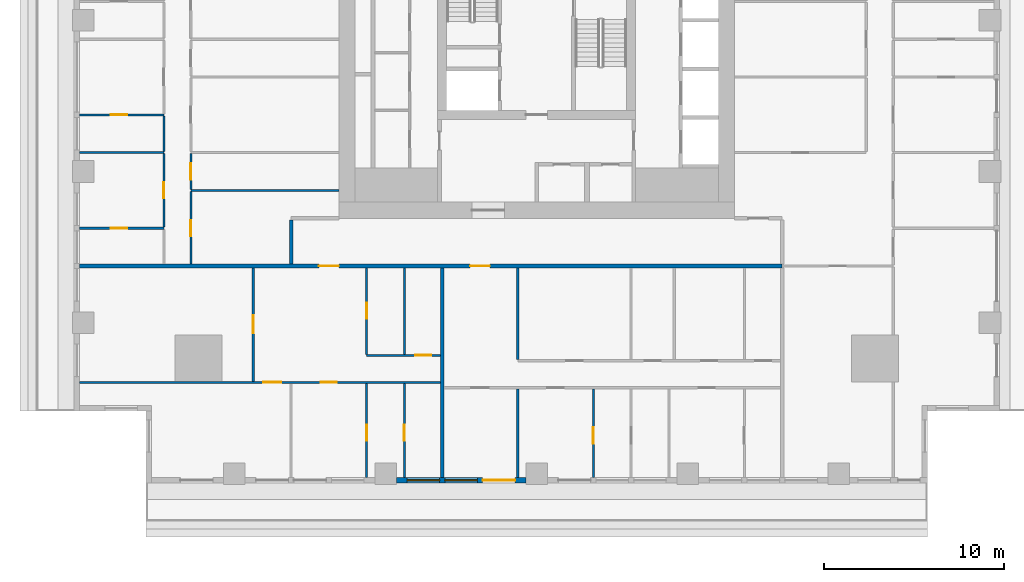
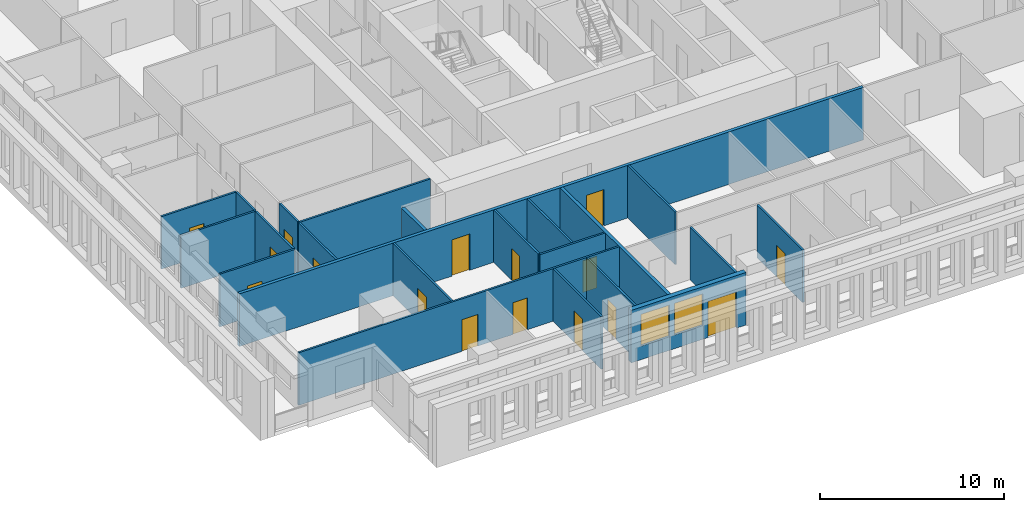
# One storey, part 2 of 16: 22 walls, 16 doors, 2 windows, 18 openings.
"""IFC4 building model written with IfcOpenShell, lengths in metres."""

from ifc_helpers import new_model, si_unit, direction, frame, frame_2d, origin, place, context, subcontext, project, spatial, rectangle, extrude, material, layer, layer_set, type_object, element, fill, save


model = new_model("IFC4")

# Units and contexts
model_context = context("Model", 3, precision=1e-05, world=origin(), true_north=direction((0.0, 1.0)))
body_context = subcontext(model_context, "Body", "Model", "MODEL_VIEW")
ifc_project = project(units=[si_unit("LENGTHUNIT", "METRE"), si_unit("AREAUNIT", "SQUARE_METRE"), si_unit("VOLUMEUNIT", "CUBIC_METRE"), si_unit("PLANEANGLEUNIT", "RADIAN"), si_unit("MASSUNIT", "GRAM", prefix="KILO")], contexts=[model_context])

# Site, building, storey
site_placement = place(None, origin())
site = spatial("IfcSite", under=ifc_project, at=site_placement, CompositionType="ELEMENT")
building_placement = place(site_placement, origin())
building = spatial("IfcBuilding", under=site, at=building_placement, Name="Khepri Terraces", CompositionType="ELEMENT")
storey_placement = place(building_placement, frame((0.0, 0.0, 168.89990234375)))
storey = spatial("IfcBuildingStorey", under=building, at=storey_placement, Name="L40", CompositionType="ELEMENT", Elevation=168.89990234375)

# Wall
ifc_material_1 = material(Name="Fire-rated gypsum plasterboard partition, mineral wool")
ifc_layer_1 = layer(ifc_material_1, 0.199951171875, Name="Fire-rated gypsum plasterboard partition, mineral wool")
ifc_layer_set_1 = layer_set([ifc_layer_1], Name="Fire-rated gypsum plasterboard partition, mineral wool")
wall_type_1 = type_object("IfcWallType", Name="WL-CORR-200", PredefinedType="PARTITIONING", material=ifc_layer_set_1)
wall_1_placement = place(storey_placement, frame((-5.25, -25.419921875, 0.0), z_axis=(0.0, 0.0, 1.0), x_axis=(0.0, 1.0, 0.0)))
element("IfcWall", 1, at=wall_1_placement, inside=storey, type_object=wall_type_1, Name="Partition P-004 L40", PredefinedType="PARTITIONING", context=body_context, shape_type="SweptSolid", body=[
    extrude(rectangle(XDim=11.669921875, YDim=0.199951171875, at=frame_2d((5.8349609375, 0.0))), origin(), (0.0, 0.0, 1.0), 3.47998046875),
])

# Wall, openings, doors
wall_2_placement = place(storey_placement, frame((-25.419921875, -13.64990234375, 0.0), z_axis=(0.0, 0.0, 1.0), x_axis=(1.0, 0.0, 0.0)))
wall_2 = element("IfcWall", 2, at=wall_2_placement, inside=storey, type_object=wall_type_1, Name="Partition P-024 L40", PredefinedType="PARTITIONING", context=body_context, shape_type="SweptSolid", body=[
    extrude(rectangle(XDim=39.06982421875, YDim=0.199951171875, at=frame_2d((19.534912109375, 0.0))), origin(), (0.0, 0.0, 1.0), 3.47998046875),
])
opening_1_placement = place(wall_2_placement, frame((13.320068359375, 0.0, 0.0)))
opening_1 = element("IfcOpeningElement", 3, at=opening_1_placement, cuts=wall_2, Name="Opening D1", PredefinedType="OPENING", context=body_context, shape_type="SweptSolid", body=[
    extrude(rectangle(XDim=1.10009765625, YDim=2.39990234375, at=frame_2d((0.550048828125, 1.199951171875))), frame((0.0, 0.10986328125, 0.0), z_axis=(0.0, -1.0, 0.0), x_axis=(1.0, 0.0, 0.0)), (0.0, 0.0, 1.0), 0.219970703125),
])
opening_2_placement = place(wall_2_placement, frame((21.719970703125, 0.0, 0.0)))
opening_2 = element("IfcOpeningElement", 4, at=opening_2_placement, cuts=wall_2, Name="Opening D1", PredefinedType="OPENING", context=body_context, shape_type="SweptSolid", body=[
    extrude(rectangle(XDim=1.10009765625, YDim=2.39990234375, at=frame_2d((0.550048828125, 1.199951171875))), frame((0.0, 0.10986328125, 0.0), z_axis=(0.0, -1.0, 0.0), x_axis=(1.0, 0.0, 0.0)), (0.0, 0.0, 1.0), 0.219970703125),
])
ifc_material_2 = material(Name="Solid-core timber door leaf, flat entrance door", Category="wood")
door_type_1 = type_object("IfcDoorType", Name="DR-ENT-1100", OperationType="NOTDEFINED", PredefinedType="DOOR", material=ifc_material_2)
door_1_placement = place(opening_1_placement, frame((1.10009765625, 0.0, 0.0), z_axis=(0.0, 0.0, 1.0), x_axis=(-1.0, 0.0, 0.0)))
door_1 = element("IfcDoor", 5, at=door_1_placement, inside=storey, type_object=door_type_1, Name="Flat A1 entrance door", OperationType="SINGLE_SWING_RIGHT", OverallHeight=2.39990234375, OverallWidth=1.10009765625, PredefinedType="DOOR", context=body_context, shape_type="SweptSolid", body=[
    extrude(rectangle(XDim=1.10009765625, YDim=2.39990234375, at=frame_2d((0.550048828125, 1.199951171875))), frame((0.0, 0.02490234375, 0.0), z_axis=(0.0, -1.0, 0.0), x_axis=(1.0, 0.0, 0.0)), (0.0, 0.0, 1.0), 0.050048828125),
])
fill(opening_1, door_1)
door_2_placement = place(opening_2_placement, frame((1.10009765625, 0.0, 0.0), z_axis=(0.0, 0.0, 1.0), x_axis=(-1.0, 0.0, 0.0)))
door_2 = element("IfcDoor", 6, at=door_2_placement, inside=storey, type_object=door_type_1, Name="Flat A2 entrance door", OperationType="SINGLE_SWING_LEFT", OverallHeight=2.39990234375, OverallWidth=1.10009765625, PredefinedType="DOOR", context=body_context, shape_type="SweptSolid", body=[
    extrude(rectangle(XDim=1.10009765625, YDim=2.39990234375, at=frame_2d((0.550048828125, 1.199951171875))), frame((0.0, 0.02490234375, 0.0), z_axis=(0.0, -1.0, 0.0), x_axis=(1.0, 0.0, 0.0)), (0.0, 0.0, 1.0), 0.050048828125),
])
fill(opening_2, door_2)

# Wall
wall_3_placement = place(storey_placement, frame((-13.64990234375, -13.550048828125, 0.0), z_axis=(0.0, 0.0, 1.0), x_axis=(0.0, 1.0, 0.0)))
element("IfcWall", 7, at=wall_3_placement, inside=storey, type_object=wall_type_1, Name="Partition P-029 L40", PredefinedType="PARTITIONING", context=body_context, shape_type="SweptSolid", body=[
    extrude(rectangle(XDim=2.449951171875, YDim=0.199951171875, at=frame_2d((1.22509765625, 0.0))), origin(), (0.0, 0.0, 1.0), 3.47998046875),
])

# Wall, openings, door, windows
ifc_material_3 = material(Name="Precast concrete C50/60 warm stone", Category="masonry")
ifc_layer_2 = layer(ifc_material_3, 0.300048828125, Name="Precast concrete C50/60 warm stone", Category="masonry")
ifc_layer_set_2 = layer_set([ifc_layer_2], Name="Precast concrete C50/60 warm stone")
wall_type_2 = type_object("IfcWallType", Name="WL-EXT-PRECAST-300", PredefinedType="STANDARD", material=ifc_layer_set_2)
wall_4_placement = place(storey_placement, frame((-7.800048828125, -25.570068359375, 0.0), z_axis=(0.0, 0.0, 1.0), x_axis=(1.0, 0.0, 0.0)))
wall_4 = element("IfcWall", 8, at=wall_4_placement, inside=storey, type_object=wall_type_2, Name="External wall L40 S", PredefinedType="STANDARD", context=body_context, shape_type="SweptSolid", body=[
    extrude(rectangle(XDim=7.199951171875, YDim=0.300048828125, at=frame_2d((3.60009765625, 0.0))), origin(), (0.0, 0.0, 1.0), 3.47998046875),
])
opening_3_placement = place(wall_4_placement, frame((0.60009765625, 0.0, 0.89990234375)))
opening_3 = element("IfcOpeningElement", 9, at=opening_3_placement, cuts=wall_4, Name="Opening W1", PredefinedType="OPENING", context=body_context, shape_type="SweptSolid", body=[
    extrude(rectangle(XDim=1.800048828125, YDim=2.10009765625, at=frame_2d((0.89990234375, 1.050048828125))), frame((0.0, 0.16015625, 0.0), z_axis=(0.0, -1.0, 0.0), x_axis=(1.0, 0.0, 0.0)), (0.0, 0.0, 1.0), 0.320068359375),
])
opening_4_placement = place(wall_4_placement, frame((2.699951171875, 0.0, 0.89990234375)))
opening_4 = element("IfcOpeningElement", 10, at=opening_4_placement, cuts=wall_4, Name="Opening W1", PredefinedType="OPENING", context=body_context, shape_type="SweptSolid", body=[
    extrude(rectangle(XDim=1.800048828125, YDim=2.10009765625, at=frame_2d((0.89990234375, 1.050048828125))), frame((0.0, 0.16015625, 0.0), z_axis=(0.0, -1.0, 0.0), x_axis=(1.0, 0.0, 0.0)), (0.0, 0.0, 1.0), 0.320068359375),
])
opening_5_placement = place(wall_4_placement, frame((4.800048828125, 0.0, 0.0)))
opening_5 = element("IfcOpeningElement", 11, at=opening_5_placement, cuts=wall_4, Name="Opening ED-L40-13", PredefinedType="OPENING", context=body_context, shape_type="SweptSolid", body=[
    extrude(rectangle(XDim=1.800048828125, YDim=2.39990234375, at=frame_2d((0.89990234375, 1.199951171875))), frame((0.0, 0.16015625, 0.0), z_axis=(0.0, -1.0, 0.0), x_axis=(1.0, 0.0, 0.0)), (0.0, 0.0, 1.0), 0.320068359375),
])
ifc_material_4 = material(Name="Anodised aluminium bronze glazed door", Category="aluminium")
door_type_2 = type_object("IfcDoorType", Name="DR-BAL-SLIDE-1800x2400", OperationType="NOTDEFINED", PredefinedType="DOOR", material=ifc_material_4)
door_3_placement = place(opening_5_placement, origin())
door_3 = element("IfcDoor", 12, at=door_3_placement, inside=storey, type_object=door_type_2, Name="Balcony door L40 S", OperationType="SLIDING_TO_RIGHT", OverallHeight=2.39990234375, OverallWidth=1.800048828125, PredefinedType="DOOR", context=body_context, shape_type="SweptSolid", body=[
    extrude(rectangle(XDim=1.800048828125, YDim=2.39990234375, at=frame_2d((0.89990234375, 1.199951171875))), frame((0.0, 0.02490234375, 0.0), z_axis=(0.0, -1.0, 0.0), x_axis=(1.0, 0.0, 0.0)), (0.0, 0.0, 1.0), 0.050048828125),
])
fill(opening_5, door_3)
ifc_material_5 = material(Name="Clear glass", Category="glass")
window_type = type_object("IfcWindowType", Name="WIN-RES-1800x2100", PartitioningType="SINGLE_PANEL", PredefinedType="WINDOW", material=ifc_material_5)
window_1_placement = place(opening_3_placement, origin())
window_1 = element("IfcWindow", 13, at=window_1_placement, inside=storey, type_object=window_type, Name="Window L40 S", OverallHeight=2.10009765625, OverallWidth=1.800048828125, PartitioningType="SINGLE_PANEL", PredefinedType="WINDOW", context=body_context, shape_type="SweptSolid", body=[
    extrude(rectangle(XDim=1.800048828125, YDim=2.10009765625, at=frame_2d((0.89990234375, 1.050048828125))), frame((0.0, 0.030029296875, 0.0), z_axis=(0.0, -1.0, 0.0), x_axis=(1.0, 0.0, 0.0)), (0.0, 0.0, 1.0), 0.06005859375),
])
fill(opening_3, window_1)
window_2_placement = place(opening_4_placement, origin())
window_2 = element("IfcWindow", 14, at=window_2_placement, inside=storey, type_object=window_type, Name="Window L40 S", OverallHeight=2.10009765625, OverallWidth=1.800048828125, PartitioningType="SINGLE_PANEL", PredefinedType="WINDOW", context=body_context, shape_type="SweptSolid", body=[
    extrude(rectangle(XDim=1.800048828125, YDim=2.10009765625, at=frame_2d((0.89990234375, 1.050048828125))), frame((0.0, 0.030029296875, 0.0), z_axis=(0.0, -1.0, 0.0), x_axis=(1.0, 0.0, 0.0)), (0.0, 0.0, 1.0), 0.06005859375),
])
fill(opening_4, window_2)

# Wall, opening, door
ifc_material_6 = material(Name="Gypsum plasterboard partition")
ifc_layer_3 = layer(ifc_material_6, 0.1201171875, Name="Gypsum plasterboard partition")
ifc_layer_set_3 = layer_set([ifc_layer_3], Name="Gypsum plasterboard partition")
wall_type_3 = type_object("IfcWallType", Name="WL-PART-120", PredefinedType="PARTITIONING", material=ifc_layer_set_3)
wall_5_placement = place(storey_placement, frame((-9.449951171875, -25.419921875, 0.0), z_axis=(0.0, 0.0, 1.0), x_axis=(0.0, 1.0, 0.0)))
wall_5 = element("IfcWall", 15, at=wall_5_placement, inside=storey, type_object=wall_type_3, Name="Partition P-002 L40", PredefinedType="PARTITIONING", context=body_context, shape_type="SweptSolid", body=[
    extrude(rectangle(XDim=5.239990234375, YDim=0.1201171875, at=frame_2d((2.6201171875, 0.0))), origin(), (0.0, 0.0, 1.0), 3.47998046875),
])
opening_6_placement = place(wall_5_placement, frame((2.050048828125, 0.0, 0.0)))
opening_6 = element("IfcOpeningElement", 16, at=opening_6_placement, cuts=wall_5, Name="Opening D3", PredefinedType="OPENING", context=body_context, shape_type="SweptSolid", body=[
    extrude(rectangle(XDim=0.89990234375, YDim=2.10009765625, at=frame_2d((0.449951171875, 1.050048828125))), frame((0.0, 0.070068359375, 0.0), z_axis=(0.0, -1.0, 0.0), x_axis=(1.0, 0.0, 0.0)), (0.0, 0.0, 1.0), 0.14013671875),
])
ifc_material_7 = material(Name="Timber door leaf", Category="wood")
door_type_3 = type_object("IfcDoorType", Name="DR-INT-900", OperationType="NOTDEFINED", PredefinedType="DOOR", material=ifc_material_7)
door_4_placement = place(opening_6_placement, frame((0.89990234375, 0.0, 0.0), z_axis=(0.0, 0.0, 1.0), x_axis=(-1.0, 0.0, 0.0)))
door_4 = element("IfcDoor", 17, at=door_4_placement, inside=storey, type_object=door_type_3, Name="Door Dressing Room", OperationType="SINGLE_SWING_RIGHT", OverallHeight=2.10009765625, OverallWidth=0.89990234375, PredefinedType="DOOR", context=body_context, shape_type="SweptSolid", body=[
    extrude(rectangle(XDim=0.89990234375, YDim=2.10009765625, at=frame_2d((0.449951171875, 1.050048828125))), frame((0.0, 0.02490234375, 0.0), z_axis=(0.0, -1.0, 0.0), x_axis=(1.0, 0.0, 0.0)), (0.0, 0.0, 1.0), 0.050048828125),
])
fill(opening_6, door_4)

wall_6_placement = place(storey_placement, frame((-7.35009765625, -25.419921875, 0.0), z_axis=(0.0, 0.0, 1.0), x_axis=(0.0, 1.0, 0.0)))
wall_6 = element("IfcWall", 18, at=wall_6_placement, inside=storey, type_object=wall_type_3, Name="Partition P-003 L40", PredefinedType="PARTITIONING", context=body_context, shape_type="SweptSolid", body=[
    extrude(rectangle(XDim=5.239990234375, YDim=0.1201171875, at=frame_2d((2.6201171875, 0.0))), origin(), (0.0, 0.0, 1.0), 3.47998046875),
])
opening_7_placement = place(wall_6_placement, frame((2.050048828125, 0.0, 0.0)))
opening_7 = element("IfcOpeningElement", 19, at=opening_7_placement, cuts=wall_6, Name="Opening D4", PredefinedType="OPENING", context=body_context, shape_type="SweptSolid", body=[
    extrude(rectangle(XDim=0.89990234375, YDim=2.10009765625, at=frame_2d((0.449951171875, 1.050048828125))), frame((0.0, 0.070068359375, 0.0), z_axis=(0.0, -1.0, 0.0), x_axis=(1.0, 0.0, 0.0)), (0.0, 0.0, 1.0), 0.14013671875),
])
ifc_material_8 = material(Name="Timber door leaf, moisture resistant", Category="wood")
door_type_4 = type_object("IfcDoorType", Name="DR-WET-900", OperationType="NOTDEFINED", PredefinedType="DOOR", material=ifc_material_8)
door_5_placement = place(opening_7_placement, frame((0.89990234375, 0.0, 0.0), z_axis=(0.0, 0.0, 1.0), x_axis=(-1.0, 0.0, 0.0)))
door_5 = element("IfcDoor", 20, at=door_5_placement, inside=storey, type_object=door_type_4, Name="Door Bathroom", OperationType="SINGLE_SWING_RIGHT", OverallHeight=2.10009765625, OverallWidth=0.89990234375, PredefinedType="DOOR", context=body_context, shape_type="SweptSolid", body=[
    extrude(rectangle(XDim=0.89990234375, YDim=2.10009765625, at=frame_2d((0.449951171875, 1.050048828125))), frame((0.0, 0.02490234375, 0.0), z_axis=(0.0, -1.0, 0.0), x_axis=(1.0, 0.0, 0.0)), (0.0, 0.0, 1.0), 0.050048828125),
])
fill(opening_7, door_5)

# Wall
wall_7_placement = place(storey_placement, frame((-1.050048828125, -25.419921875, 0.0), z_axis=(0.0, 0.0, 1.0), x_axis=(0.0, 1.0, 0.0)))
element("IfcWall", 21, at=wall_7_placement, inside=storey, type_object=wall_type_3, Name="Partition P-005 L40", PredefinedType="PARTITIONING", context=body_context, shape_type="SweptSolid", body=[
    extrude(rectangle(XDim=4.93994140625, YDim=0.1201171875, at=frame_2d((2.469970703125, 0.0))), origin(), (0.0, 0.0, 1.0), 3.47998046875),
])

# Wall, opening, door
wall_8_placement = place(storey_placement, frame((3.14990234375, -25.419921875, 0.0), z_axis=(0.0, 0.0, 1.0), x_axis=(0.0, 1.0, 0.0)))
wall_8 = element("IfcWall", 22, at=wall_8_placement, inside=storey, type_object=wall_type_3, Name="Partition P-006 L40", PredefinedType="PARTITIONING", context=body_context, shape_type="SweptSolid", body=[
    extrude(rectangle(XDim=4.93994140625, YDim=0.1201171875, at=frame_2d((2.469970703125, 0.0))), origin(), (0.0, 0.0, 1.0), 3.47998046875),
])
opening_8_placement = place(wall_8_placement, frame((1.89990234375, 0.0, 0.0)))
opening_8 = element("IfcOpeningElement", 23, at=opening_8_placement, cuts=wall_8, Name="Opening D3", PredefinedType="OPENING", context=body_context, shape_type="SweptSolid", body=[
    extrude(rectangle(XDim=0.89990234375, YDim=2.10009765625, at=frame_2d((0.449951171875, 1.050048828125))), frame((0.0, 0.070068359375, 0.0), z_axis=(0.0, -1.0, 0.0), x_axis=(1.0, 0.0, 0.0)), (0.0, 0.0, 1.0), 0.14013671875),
])
door_6_placement = place(opening_8_placement, frame((0.89990234375, 0.0, 0.0), z_axis=(0.0, 0.0, 1.0), x_axis=(-1.0, 0.0, 0.0)))
door_6 = element("IfcDoor", 24, at=door_6_placement, inside=storey, type_object=door_type_3, Name="Door Dressing Room", OperationType="SINGLE_SWING_RIGHT", OverallHeight=2.10009765625, OverallWidth=0.89990234375, PredefinedType="DOOR", context=body_context, shape_type="SweptSolid", body=[
    extrude(rectangle(XDim=0.89990234375, YDim=2.10009765625, at=frame_2d((0.449951171875, 1.050048828125))), frame((0.0, 0.02490234375, 0.0), z_axis=(0.0, -1.0, 0.0), x_axis=(1.0, 0.0, 0.0)), (0.0, 0.0, 1.0), 0.050048828125),
])
fill(opening_8, door_6)

# Wall, openings, doors
wall_9_placement = place(storey_placement, frame((-25.419921875, -20.1201171875, 0.0), z_axis=(0.0, 0.0, 1.0), x_axis=(1.0, 0.0, 0.0)))
wall_9 = element("IfcWall", 25, at=wall_9_placement, inside=storey, type_object=wall_type_3, Name="Partition P-013 L40", PredefinedType="PARTITIONING", context=body_context, shape_type="SweptSolid", body=[
    extrude(rectangle(XDim=20.06982421875, YDim=0.1201171875, at=frame_2d((10.034912109375, 0.0))), origin(), (0.0, 0.0, 1.0), 3.47998046875),
])
opening_9_placement = place(wall_9_placement, frame((10.219970703125, 0.0, 0.0)))
opening_9 = element("IfcOpeningElement", 26, at=opening_9_placement, cuts=wall_9, Name="Opening D2", PredefinedType="OPENING", context=body_context, shape_type="SweptSolid", body=[
    extrude(rectangle(XDim=1.0, YDim=2.10009765625, at=frame_2d((0.5, 1.050048828125))), frame((0.0, 0.070068359375, 0.0), z_axis=(0.0, -1.0, 0.0), x_axis=(1.0, 0.0, 0.0)), (0.0, 0.0, 1.0), 0.14013671875),
])
opening_10_placement = place(wall_9_placement, frame((13.419921875, 0.0, 0.0)))
opening_10 = element("IfcOpeningElement", 27, at=opening_10_placement, cuts=wall_9, Name="Opening D3", PredefinedType="OPENING", context=body_context, shape_type="SweptSolid", body=[
    extrude(rectangle(XDim=0.89990234375, YDim=2.10009765625, at=frame_2d((0.449951171875, 1.050048828125))), frame((0.0, 0.070068359375, 0.0), z_axis=(0.0, -1.0, 0.0), x_axis=(1.0, 0.0, 0.0)), (0.0, 0.0, 1.0), 0.14013671875),
])
ifc_material_9 = material(Name="Timber door leaf, living room door", Category="wood")
door_type_5 = type_object("IfcDoorType", Name="DR-INT-1000", OperationType="NOTDEFINED", PredefinedType="DOOR", material=ifc_material_9)
door_7_placement = place(opening_9_placement, frame((1.0, 0.0, 0.0), z_axis=(0.0, 0.0, 1.0), x_axis=(-1.0, 0.0, 0.0)))
door_7 = element("IfcDoor", 28, at=door_7_placement, inside=storey, type_object=door_type_5, Name="Door Living Room", OperationType="SINGLE_SWING_LEFT", OverallHeight=2.10009765625, OverallWidth=1.0, PredefinedType="DOOR", context=body_context, shape_type="SweptSolid", body=[
    extrude(rectangle(XDim=1.0, YDim=2.10009765625, at=frame_2d((0.5, 1.050048828125))), frame((0.0, 0.02490234375, 0.0), z_axis=(0.0, -1.0, 0.0), x_axis=(1.0, 0.0, 0.0)), (0.0, 0.0, 1.0), 0.050048828125),
])
fill(opening_9, door_7)
door_8_placement = place(opening_10_placement, frame((0.89990234375, 0.0, 0.0), z_axis=(0.0, 0.0, 1.0), x_axis=(-1.0, 0.0, 0.0)))
door_8 = element("IfcDoor", 29, at=door_8_placement, inside=storey, type_object=door_type_3, Name="Door Master Bedroom", OperationType="SINGLE_SWING_LEFT", OverallHeight=2.10009765625, OverallWidth=0.89990234375, PredefinedType="DOOR", context=body_context, shape_type="SweptSolid", body=[
    extrude(rectangle(XDim=0.89990234375, YDim=2.10009765625, at=frame_2d((0.449951171875, 1.050048828125))), frame((0.0, 0.02490234375, 0.0), z_axis=(0.0, -1.0, 0.0), x_axis=(1.0, 0.0, 0.0)), (0.0, 0.0, 1.0), 0.050048828125),
])
fill(opening_10, door_8)

# Wall, opening, door
wall_10_placement = place(storey_placement, frame((-15.75, -20.06005859375, 0.0), z_axis=(0.0, 0.0, 1.0), x_axis=(0.0, 1.0, 0.0)))
wall_10 = element("IfcWall", 30, at=wall_10_placement, inside=storey, type_object=wall_type_3, Name="Partition P-014 L40", PredefinedType="PARTITIONING", context=body_context, shape_type="SweptSolid", body=[
    extrude(rectangle(XDim=6.31005859375, YDim=0.1201171875, at=frame_2d((3.155029296875, 0.0))), origin(), (0.0, 0.0, 1.0), 3.47998046875),
])
opening_11_placement = place(wall_10_placement, frame((2.675048828125, 0.0, 0.0)))
opening_11 = element("IfcOpeningElement", 31, at=opening_11_placement, cuts=wall_10, Name="Opening D2", PredefinedType="OPENING", context=body_context, shape_type="SweptSolid", body=[
    extrude(rectangle(XDim=1.0, YDim=2.10009765625, at=frame_2d((0.5, 1.050048828125))), frame((0.0, 0.070068359375, 0.0), z_axis=(0.0, -1.0, 0.0), x_axis=(1.0, 0.0, 0.0)), (0.0, 0.0, 1.0), 0.14013671875),
])
door_9_placement = place(opening_11_placement, origin())
door_9 = element("IfcDoor", 32, at=door_9_placement, inside=storey, type_object=door_type_5, Name="Door Family Room", OperationType="SINGLE_SWING_RIGHT", OverallHeight=2.10009765625, OverallWidth=1.0, PredefinedType="DOOR", context=body_context, shape_type="SweptSolid", body=[
    extrude(rectangle(XDim=1.0, YDim=2.10009765625, at=frame_2d((0.5, 1.050048828125))), frame((0.0, 0.02490234375, 0.0), z_axis=(0.0, -1.0, 0.0), x_axis=(1.0, 0.0, 0.0)), (0.0, 0.0, 1.0), 0.050048828125),
])
fill(opening_11, door_9)

# Wall
wall_11_placement = place(storey_placement, frame((-1.050048828125, -18.860107421875, 0.0), z_axis=(0.0, 0.0, 1.0), x_axis=(0.0, 1.0, 0.0)))
element("IfcWall", 33, at=wall_11_placement, inside=storey, type_object=wall_type_3, Name="Partition P-016 L40", PredefinedType="PARTITIONING", context=body_context, shape_type="SweptSolid", body=[
    extrude(rectangle(XDim=5.110107421875, YDim=0.1201171875, at=frame_2d((2.55517578125, 0.0))), origin(), (0.0, 0.0, 1.0), 3.47998046875),
])

# Wall, opening, door
wall_12_placement = place(storey_placement, frame((-9.449951171875, -18.6201171875, 0.0), z_axis=(0.0, 0.0, 1.0), x_axis=(1.0, 0.0, 0.0)))
wall_12 = element("IfcWall", 34, at=wall_12_placement, inside=storey, type_object=wall_type_3, Name="Partition P-020 L40", PredefinedType="PARTITIONING", context=body_context, shape_type="SweptSolid", body=[
    extrude(rectangle(XDim=4.099853515625, YDim=0.1201171875, at=frame_2d((2.0498046875, 0.0))), origin(), (0.0, 0.0, 1.0), 3.47998046875),
])
opening_12_placement = place(wall_12_placement, frame((2.699951171875, 0.0, 0.0)))
opening_12 = element("IfcOpeningElement", 35, at=opening_12_placement, cuts=wall_12, Name="Opening D3", PredefinedType="OPENING", context=body_context, shape_type="SweptSolid", body=[
    extrude(rectangle(XDim=0.89990234375, YDim=2.10009765625, at=frame_2d((0.449951171875, 1.050048828125))), frame((0.0, 0.070068359375, 0.0), z_axis=(0.0, -1.0, 0.0), x_axis=(1.0, 0.0, 0.0)), (0.0, 0.0, 1.0), 0.14013671875),
])
door_10_placement = place(opening_12_placement, origin())
door_10 = element("IfcDoor", 36, at=door_10_placement, inside=storey, type_object=door_type_3, Name="Door Kitchen", OperationType="SINGLE_SWING_RIGHT", OverallHeight=2.10009765625, OverallWidth=0.89990234375, PredefinedType="DOOR", context=body_context, shape_type="SweptSolid", body=[
    extrude(rectangle(XDim=0.89990234375, YDim=2.10009765625, at=frame_2d((0.449951171875, 1.050048828125))), frame((0.0, 0.02490234375, 0.0), z_axis=(0.0, -1.0, 0.0), x_axis=(1.0, 0.0, 0.0)), (0.0, 0.0, 1.0), 0.050048828125),
])
fill(opening_12, door_10)

wall_13_placement = place(storey_placement, frame((-9.449951171875, -18.56005859375, 0.0), z_axis=(0.0, 0.0, 1.0), x_axis=(0.0, 1.0, 0.0)))
wall_13 = element("IfcWall", 37, at=wall_13_placement, inside=storey, type_object=wall_type_3, Name="Partition P-021 L40", PredefinedType="PARTITIONING", context=body_context, shape_type="SweptSolid", body=[
    extrude(rectangle(XDim=4.81005859375, YDim=0.1201171875, at=frame_2d((2.405029296875, 0.0))), origin(), (0.0, 0.0, 1.0), 3.47998046875),
])
opening_13_placement = place(wall_13_placement, frame((1.97509765625, 0.0, 0.0)))
opening_13 = element("IfcOpeningElement", 38, at=opening_13_placement, cuts=wall_13, Name="Opening D4", PredefinedType="OPENING", context=body_context, shape_type="SweptSolid", body=[
    extrude(rectangle(XDim=0.89990234375, YDim=2.10009765625, at=frame_2d((0.449951171875, 1.050048828125))), frame((0.0, 0.070068359375, 0.0), z_axis=(0.0, -1.0, 0.0), x_axis=(1.0, 0.0, 0.0)), (0.0, 0.0, 1.0), 0.14013671875),
])
door_11_placement = place(opening_13_placement, frame((0.89990234375, 0.0, 0.0), z_axis=(0.0, 0.0, 1.0), x_axis=(-1.0, 0.0, 0.0)))
door_11 = element("IfcDoor", 39, at=door_11_placement, inside=storey, type_object=door_type_4, Name="Door Guest Bathroom", OperationType="SINGLE_SWING_LEFT", OverallHeight=2.10009765625, OverallWidth=0.89990234375, PredefinedType="DOOR", context=body_context, shape_type="SweptSolid", body=[
    extrude(rectangle(XDim=0.89990234375, YDim=2.10009765625, at=frame_2d((0.449951171875, 1.050048828125))), frame((0.0, 0.02490234375, 0.0), z_axis=(0.0, -1.0, 0.0), x_axis=(1.0, 0.0, 0.0)), (0.0, 0.0, 1.0), 0.050048828125),
])
fill(opening_13, door_11)

# Wall
wall_14_placement = place(storey_placement, frame((-7.35009765625, -18.56005859375, 0.0), z_axis=(0.0, 0.0, 1.0), x_axis=(0.0, 1.0, 0.0)))
element("IfcWall", 40, at=wall_14_placement, inside=storey, type_object=wall_type_3, Name="Partition P-022 L40", PredefinedType="PARTITIONING", context=body_context, shape_type="SweptSolid", body=[
    extrude(rectangle(XDim=4.81005859375, YDim=0.1201171875, at=frame_2d((2.405029296875, 0.0))), origin(), (0.0, 0.0, 1.0), 3.47998046875),
])

# Wall, opening, door
wall_15_placement = place(storey_placement, frame((-19.219970703125, -13.550048828125, 0.0), z_axis=(0.0, 0.0, 1.0), x_axis=(0.0, 1.0, 0.0)))
wall_15 = element("IfcWall", 41, at=wall_15_placement, inside=storey, type_object=wall_type_3, Name="Partition P-028 L40", PredefinedType="PARTITIONING", context=body_context, shape_type="SweptSolid", body=[
    extrude(rectangle(XDim=4.0400390625, YDim=0.1201171875, at=frame_2d((2.02001953125, 0.0))), origin(), (0.0, 0.0, 1.0), 3.47998046875),
])
opening_14_placement = place(wall_15_placement, frame((1.550048828125, 0.0, 0.0)))
opening_14 = element("IfcOpeningElement", 42, at=opening_14_placement, cuts=wall_15, Name="Opening D3", PredefinedType="OPENING", context=body_context, shape_type="SweptSolid", body=[
    extrude(rectangle(XDim=0.89990234375, YDim=2.10009765625, at=frame_2d((0.449951171875, 1.050048828125))), frame((0.0, 0.070068359375, 0.0), z_axis=(0.0, -1.0, 0.0), x_axis=(1.0, 0.0, 0.0)), (0.0, 0.0, 1.0), 0.14013671875),
])
door_12_placement = place(opening_14_placement, frame((0.89990234375, 0.0, 0.0), z_axis=(0.0, 0.0, 1.0), x_axis=(-1.0, 0.0, 0.0)))
door_12 = element("IfcDoor", 43, at=door_12_placement, inside=storey, type_object=door_type_3, Name="Door Library", OperationType="SINGLE_SWING_RIGHT", OverallHeight=2.10009765625, OverallWidth=0.89990234375, PredefinedType="DOOR", context=body_context, shape_type="SweptSolid", body=[
    extrude(rectangle(XDim=0.89990234375, YDim=2.10009765625, at=frame_2d((0.449951171875, 1.050048828125))), frame((0.0, 0.02490234375, 0.0), z_axis=(0.0, -1.0, 0.0), x_axis=(1.0, 0.0, 0.0)), (0.0, 0.0, 1.0), 0.050048828125),
])
fill(opening_14, door_12)

wall_16_placement = place(storey_placement, frame((-25.419921875, -11.550048828125, 0.0), z_axis=(0.0, 0.0, 1.0), x_axis=(1.0, 0.0, 0.0)))
wall_16 = element("IfcWall", 44, at=wall_16_placement, inside=storey, type_object=wall_type_3, Name="Partition P-031 L40", PredefinedType="PARTITIONING", context=body_context, shape_type="SweptSolid", body=[
    extrude(rectangle(XDim=4.699951171875, YDim=0.1201171875, at=frame_2d((2.35009765625, 0.0))), origin(), (0.0, 0.0, 1.0), 3.47998046875),
])
opening_15_placement = place(wall_16_placement, frame((1.75, 0.0, 0.0)))
opening_15 = element("IfcOpeningElement", 45, at=opening_15_placement, cuts=wall_16, Name="Opening D4", PredefinedType="OPENING", context=body_context, shape_type="SweptSolid", body=[
    extrude(rectangle(XDim=0.89990234375, YDim=2.10009765625, at=frame_2d((0.449951171875, 1.050048828125))), frame((0.0, 0.070068359375, 0.0), z_axis=(0.0, -1.0, 0.0), x_axis=(1.0, 0.0, 0.0)), (0.0, 0.0, 1.0), 0.14013671875),
])
door_13_placement = place(opening_15_placement, frame((0.89990234375, 0.0, 0.0), z_axis=(0.0, 0.0, 1.0), x_axis=(-1.0, 0.0, 0.0)))
door_13 = element("IfcDoor", 46, at=door_13_placement, inside=storey, type_object=door_type_4, Name="Door Bathroom", OperationType="SINGLE_SWING_RIGHT", OverallHeight=2.10009765625, OverallWidth=0.89990234375, PredefinedType="DOOR", context=body_context, shape_type="SweptSolid", body=[
    extrude(rectangle(XDim=0.89990234375, YDim=2.10009765625, at=frame_2d((0.449951171875, 1.050048828125))), frame((0.0, 0.02490234375, 0.0), z_axis=(0.0, -1.0, 0.0), x_axis=(1.0, 0.0, 0.0)), (0.0, 0.0, 1.0), 0.050048828125),
])
fill(opening_15, door_13)

wall_17_placement = place(storey_placement, frame((-20.719970703125, -11.489990234375, 0.0), z_axis=(0.0, 0.0, 1.0), x_axis=(0.0, 1.0, 0.0)))
wall_17 = element("IfcWall", 47, at=wall_17_placement, inside=storey, type_object=wall_type_3, Name="Partition P-033 L40", PredefinedType="PARTITIONING", context=body_context, shape_type="SweptSolid", body=[
    extrude(rectangle(XDim=4.080078125, YDim=0.1201171875, at=frame_2d((2.0400390625, 0.0))), origin(), (0.0, 0.0, 1.0), 3.47998046875),
])
opening_16_placement = place(wall_17_placement, frame((1.590087890625, 0.0, 0.0)))
opening_16 = element("IfcOpeningElement", 48, at=opening_16_placement, cuts=wall_17, Name="Opening D3", PredefinedType="OPENING", context=body_context, shape_type="SweptSolid", body=[
    extrude(rectangle(XDim=0.89990234375, YDim=2.10009765625, at=frame_2d((0.449951171875, 1.050048828125))), frame((0.0, 0.070068359375, 0.0), z_axis=(0.0, -1.0, 0.0), x_axis=(1.0, 0.0, 0.0)), (0.0, 0.0, 1.0), 0.14013671875),
])
door_14_placement = place(opening_16_placement, origin())
door_14 = element("IfcDoor", 49, at=door_14_placement, inside=storey, type_object=door_type_3, Name="Door Bedroom", OperationType="SINGLE_SWING_RIGHT", OverallHeight=2.10009765625, OverallWidth=0.89990234375, PredefinedType="DOOR", context=body_context, shape_type="SweptSolid", body=[
    extrude(rectangle(XDim=0.89990234375, YDim=2.10009765625, at=frame_2d((0.449951171875, 1.050048828125))), frame((0.0, 0.02490234375, 0.0), z_axis=(0.0, -1.0, 0.0), x_axis=(1.0, 0.0, 0.0)), (0.0, 0.0, 1.0), 0.050048828125),
])
fill(opening_16, door_14)

# Wall
wall_18_placement = place(storey_placement, frame((-19.219970703125, -9.449951171875, 0.0), z_axis=(0.0, 0.0, 1.0), x_axis=(1.0, 0.0, 0.0)))
element("IfcWall", 50, at=wall_18_placement, inside=storey, type_object=wall_type_3, Name="Partition P-037 L40", PredefinedType="PARTITIONING", context=body_context, shape_type="SweptSolid", body=[
    extrude(rectangle(XDim=8.219970703125, YDim=0.1201171875, at=frame_2d((4.10986328125, 0.0))), origin(), (0.0, 0.0, 1.0), 3.47998046875),
])

# Wall, opening, door
wall_19_placement = place(storey_placement, frame((-19.219970703125, -9.389892578125, 0.0), z_axis=(0.0, 0.0, 1.0), x_axis=(0.0, 1.0, 0.0)))
wall_19 = element("IfcWall", 51, at=wall_19_placement, inside=storey, type_object=wall_type_3, Name="Partition P-038 L40", PredefinedType="PARTITIONING", context=body_context, shape_type="SweptSolid", body=[
    extrude(rectangle(XDim=1.97998046875, YDim=0.1201171875, at=frame_2d((0.989990234375, 0.0))), origin(), (0.0, 0.0, 1.0), 3.47998046875),
])
opening_17_placement = place(wall_19_placement, frame((0.5400390625, 0.0, 0.0)))
opening_17 = element("IfcOpeningElement", 52, at=opening_17_placement, cuts=wall_19, Name="Opening D4", PredefinedType="OPENING", context=body_context, shape_type="SweptSolid", body=[
    extrude(rectangle(XDim=0.89990234375, YDim=2.10009765625, at=frame_2d((0.449951171875, 1.050048828125))), frame((0.0, 0.070068359375, 0.0), z_axis=(0.0, -1.0, 0.0), x_axis=(1.0, 0.0, 0.0)), (0.0, 0.0, 1.0), 0.14013671875),
])
door_15_placement = place(opening_17_placement, frame((0.89990234375, 0.0, 0.0), z_axis=(0.0, 0.0, 1.0), x_axis=(-1.0, 0.0, 0.0)))
door_15 = element("IfcDoor", 53, at=door_15_placement, inside=storey, type_object=door_type_4, Name="Door Guest Bathroom", OperationType="SINGLE_SWING_LEFT", OverallHeight=2.10009765625, OverallWidth=0.89990234375, PredefinedType="DOOR", context=body_context, shape_type="SweptSolid", body=[
    extrude(rectangle(XDim=0.89990234375, YDim=2.10009765625, at=frame_2d((0.449951171875, 1.050048828125))), frame((0.0, 0.02490234375, 0.0), z_axis=(0.0, -1.0, 0.0), x_axis=(1.0, 0.0, 0.0)), (0.0, 0.0, 1.0), 0.050048828125),
])
fill(opening_17, door_15)

# Walls
wall_20_placement = place(storey_placement, frame((-25.419921875, -7.35009765625, 0.0), z_axis=(0.0, 0.0, 1.0), x_axis=(1.0, 0.0, 0.0)))
element("IfcWall", 54, at=wall_20_placement, inside=storey, type_object=wall_type_3, Name="Partition P-039 L40", PredefinedType="PARTITIONING", context=body_context, shape_type="SweptSolid", body=[
    extrude(rectangle(XDim=4.699951171875, YDim=0.1201171875, at=frame_2d((2.35009765625, 0.0))), origin(), (0.0, 0.0, 1.0), 3.47998046875),
])
wall_21_placement = place(storey_placement, frame((-20.719970703125, -7.2900390625, 0.0), z_axis=(0.0, 0.0, 1.0), x_axis=(0.0, 1.0, 0.0)))
element("IfcWall", 55, at=wall_21_placement, inside=storey, type_object=wall_type_3, Name="Partition P-043 L40", PredefinedType="PARTITIONING", context=body_context, shape_type="SweptSolid", body=[
    extrude(rectangle(XDim=1.97998046875, YDim=0.1201171875, at=frame_2d((0.989990234375, 0.0))), origin(), (0.0, 0.0, 1.0), 3.47998046875),
])

# Wall, opening, door
wall_22_placement = place(storey_placement, frame((-25.419921875, -5.25, 0.0), z_axis=(0.0, 0.0, 1.0), x_axis=(1.0, 0.0, 0.0)))
wall_22 = element("IfcWall", 56, at=wall_22_placement, inside=storey, type_object=wall_type_3, Name="Partition P-047 L40", PredefinedType="PARTITIONING", context=body_context, shape_type="SweptSolid", body=[
    extrude(rectangle(XDim=4.699951171875, YDim=0.1201171875, at=frame_2d((2.35009765625, 0.0))), origin(), (0.0, 0.0, 1.0), 3.47998046875),
])
opening_18_placement = place(wall_22_placement, frame((1.75, 0.0, 0.0)))
opening_18 = element("IfcOpeningElement", 57, at=opening_18_placement, cuts=wall_22, Name="Opening D4", PredefinedType="OPENING", context=body_context, shape_type="SweptSolid", body=[
    extrude(rectangle(XDim=0.89990234375, YDim=2.10009765625, at=frame_2d((0.449951171875, 1.050048828125))), frame((0.0, 0.070068359375, 0.0), z_axis=(0.0, -1.0, 0.0), x_axis=(1.0, 0.0, 0.0)), (0.0, 0.0, 1.0), 0.14013671875),
])
door_16_placement = place(opening_18_placement, frame((0.89990234375, 0.0, 0.0), z_axis=(0.0, 0.0, 1.0), x_axis=(-1.0, 0.0, 0.0)))
door_16 = element("IfcDoor", 58, at=door_16_placement, inside=storey, type_object=door_type_4, Name="Door Bathroom", OperationType="SINGLE_SWING_RIGHT", OverallHeight=2.10009765625, OverallWidth=0.89990234375, PredefinedType="DOOR", context=body_context, shape_type="SweptSolid", body=[
    extrude(rectangle(XDim=0.89990234375, YDim=2.10009765625, at=frame_2d((0.449951171875, 1.050048828125))), frame((0.0, 0.02490234375, 0.0), z_axis=(0.0, -1.0, 0.0), x_axis=(1.0, 0.0, 0.0)), (0.0, 0.0, 1.0), 0.050048828125),
])
fill(opening_18, door_16)

save(model, "model.ifc")
